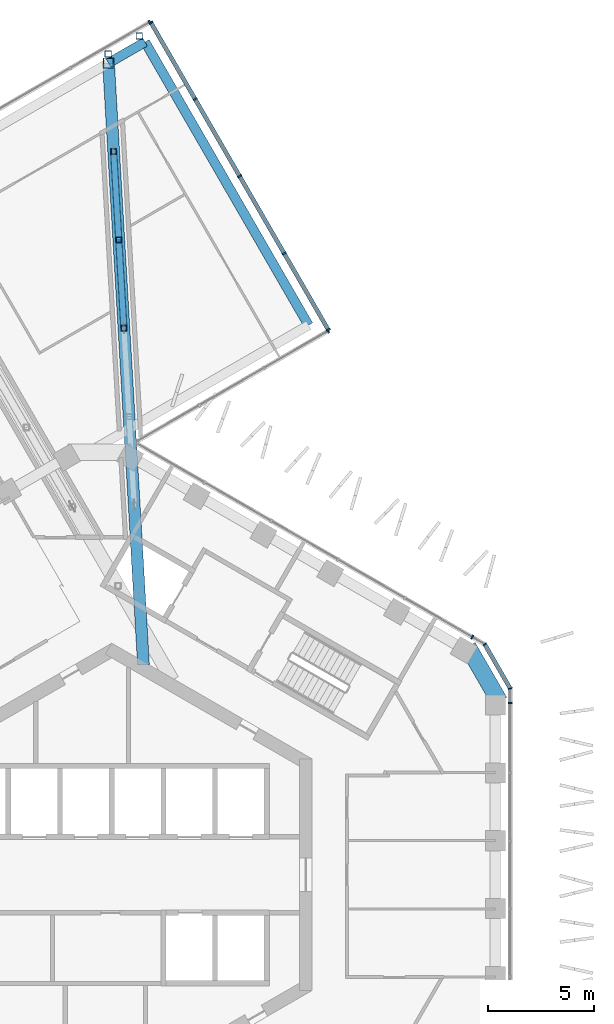
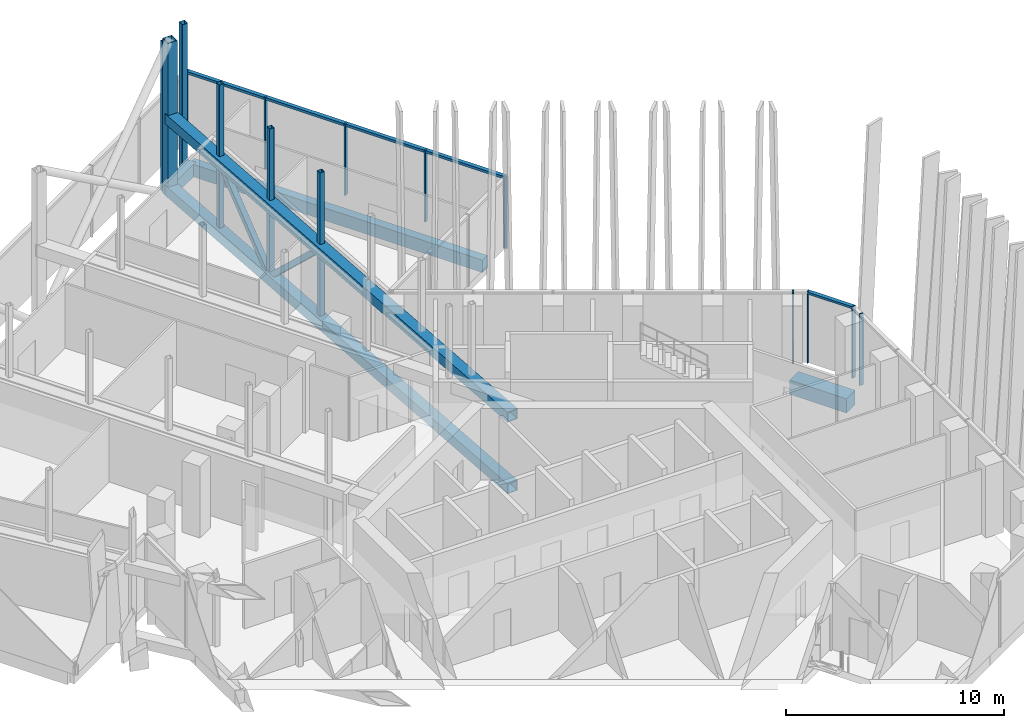
# One storey, part 9 of 29: 26 members, 3 beams, 6 elements without a shape of their own.
"""IFC4 building model written with IfcOpenShell, lengths in metres."""

from ifc_helpers import new_model, si_unit, direction, frame, origin, origin_2d, place, context, subcontext, project, spatial, rectangle, hollow_rectangle, extrude, material, layer, layer_set, material_profile, profile_set, type_object, element, aggregate, save


model = new_model("IFC4")

# Units and contexts
model_context = context("Model", 3, precision=1e-05, world=origin(), true_north=direction((0.0, 1.0)))
body_context = subcontext(model_context, "Body", "Model", "MODEL_VIEW")
ifc_project = project(units=[si_unit("LENGTHUNIT", "METRE"), si_unit("AREAUNIT", "SQUARE_METRE"), si_unit("VOLUMEUNIT", "CUBIC_METRE"), si_unit("PLANEANGLEUNIT", "RADIAN"), si_unit("MASSUNIT", "GRAM", prefix="KILO")], contexts=[model_context])

# Site, building, storey
site_placement = place(None, origin())
site = spatial("IfcSite", under=ifc_project, at=site_placement, CompositionType="ELEMENT")
building_placement = place(site_placement, origin())
building = spatial("IfcBuilding", under=site, at=building_placement, Name="Ayvan Gate Tower", CompositionType="ELEMENT")
storey_placement = place(building_placement, frame((0.0, 0.0, 186.699951171875)))
storey = spatial("IfcBuildingStorey", under=building, at=storey_placement, Name="L50", CompositionType="ELEMENT", Elevation=186.699951171875)

# Beam
ifc_material_1 = material(Name="Concrete C40/50", Category="concrete")
ifc_material_profile_1 = material_profile(ifc_material_1, rectangle(XDim=0.800048828125, YDim=0.800048828125, at=origin_2d()), Name="RC 800x800")
ifc_profile_set_1 = profile_set([ifc_material_profile_1], Name="Concrete C40/50")
beam_type_1 = type_object("IfcBeamType", Name="Corner spandrel beam RC 800x800 C40/50", PredefinedType="BEAM", material=ifc_profile_set_1)
beam_1_placement = place(storey_placement, frame((18.376953125, 8.208740234375, -0.800048828125), z_axis=(-0.499990139034, 0.866031096941, 0.0), x_axis=(-0.866031096941, -0.499990139034, 0.0)))
element("IfcBeam", 1, at=beam_1_placement, inside=storey, type_object=beam_type_1, Name="SB-L50-6", PredefinedType="BEAM", context=body_context, shape_type="SweptSolid", body=[
    extrude(rectangle(XDim=0.800048828125, YDim=0.800048828125, at=origin_2d()), origin(), (0.0, 0.0, 1.0), 3.0),
])

# Members
ifc_material_2 = material(Name="Steel S460NH", Category="steel")
ifc_material_profile_2 = material_profile(ifc_material_2, hollow_rectangle(XDim=0.300048828125, YDim=0.300048828125, WallThickness=0.01416015625, InnerFilletRadius=0.01416015625, OuterFilletRadius=0.021240234375, at=origin_2d()), Name="RHS 300x300x14.2")
ifc_profile_set_2 = profile_set([ifc_material_profile_2], Name="Steel S460NH")
member_type_1 = type_object("IfcMemberType", Name="Sky bar corner post B4 RHS 300x300x14.2", PredefinedType="POST", material=ifc_profile_set_2)
for number, where, z_axis, x_axis, name in (
    (2, (-0.1689453125, 38.892578125, -1.099853515625), (0.0, 0.0, 1.0), (1.0, 0.0, 0.0), "SBX4-C-P-3"),
    (3, (1.30322265625, 39.74267578125, -1.099853515625), (0.0, 0.0, 1.0), (1.0, 0.0, 0.0), "SBX4-C-P-4"),
):
    element("IfcMember", number, at=place(storey_placement, frame(where, z_axis=z_axis, x_axis=x_axis)), inside=storey, type_object=member_type_1, Name=name, PredefinedType="POST", context=body_context, shape_type="SweptSolid", body=[
        extrude(hollow_rectangle(XDim=0.300048828125, YDim=0.300048828125, WallThickness=0.01416015625, InnerFilletRadius=0.01416015625, OuterFilletRadius=0.021240234375, at=origin_2d()), origin(), (0.0, 0.0, 1.0), 8.349853515625),
    ])

# Beams
ifc_material_profile_3 = material_profile(ifc_material_1, rectangle(XDim=0.449951171875, YDim=0.699951171875, at=origin_2d()), Name="RC 450x700")
ifc_profile_set_3 = profile_set([ifc_material_profile_3], Name="Concrete C40/50")
beam_type_2 = type_object("IfcBeamType", Name="Sky bar edge beam RC 450x700 C40/50", PredefinedType="BEAM", material=ifc_profile_set_3)
beam_2_placement = place(storey_placement, frame((-0.152099609375, 38.463623046875, -0.75), z_axis=(0.866010750942, 0.50002537861, 0.0), x_axis=(-0.50002537861, 0.866010750942, 0.0)))
element("IfcBeam", 4, at=beam_2_placement, inside=storey, type_object=beam_type_2, Name="EB-B4-L50-7", PredefinedType="BEAM", context=body_context, shape_type="SweptSolid", body=[
    extrude(rectangle(XDim=0.449951171875, YDim=0.699951171875, at=origin_2d()), origin(), (0.0, 0.0, 1.0), 2.0),
])
beam_3_placement = place(storey_placement, frame((1.579833984375, 39.463623046875, -0.75), z_axis=(0.500001506187, -0.866024534185, 0.0), x_axis=(0.866024534185, 0.500001506187, 0.0)))
element("IfcBeam", 5, at=beam_3_placement, inside=storey, type_object=beam_type_2, Name="EB-B4-L50-8", PredefinedType="BEAM", context=body_context, shape_type="SweptSolid", body=[
    extrude(rectangle(XDim=0.449951171875, YDim=0.699951171875, at=origin_2d()), origin(), (0.0, 0.0, 1.0), 15.5),
])

# Members
ifc_material_profile_4 = material_profile(ifc_material_2, hollow_rectangle(XDim=0.300048828125, YDim=0.300048828125, WallThickness=0.010009765625, InnerFilletRadius=0.010009765625, OuterFilletRadius=0.014892578125, at=origin_2d()), Name="RHS 300x300x10")
ifc_profile_set_4 = profile_set([ifc_material_profile_4], Name="Steel S460NH")
member_type_2 = type_object("IfcMemberType", Name="Sky bar end truss brace B4 RHS 300x300x10", PredefinedType="BRACE", material=ifc_profile_set_4)
member_1_placement = place(storey_placement, frame((0.578125, 25.8984375, 3.275146484375), z_axis=(-0.041990290196, 0.722553077842, -0.690039031672), x_axis=(-0.998315659402, -0.058015896038, 0.0)))
element("IfcMember", 6, at=member_1_placement, inside=storey, type_object=member_type_2, Name="SBT4-1-D-5", PredefinedType="BRACE", context=body_context, shape_type="SweptSolid", body=[
    extrude(hollow_rectangle(XDim=0.300048828125, YDim=0.300048828125, WallThickness=0.010009765625, InnerFilletRadius=0.010009765625, OuterFilletRadius=0.014892578125, at=origin_2d()), origin(), (0.0, 0.0, 1.0), 5.796875),
])
member_2_placement = place(storey_placement, frame((0.334716796875, 30.0869140625, -0.724853515625), z_axis=(-0.041991568045, 0.722532948663, 0.690060030947), x_axis=(-0.998315463525, -0.058019266519, 0.0)))
element("IfcMember", 7, at=member_2_placement, inside=storey, type_object=member_type_2, Name="SBT4-1-D-6", PredefinedType="BRACE", context=body_context, shape_type="SweptSolid", body=[
    extrude(hollow_rectangle(XDim=0.300048828125, YDim=0.300048828125, WallThickness=0.010009765625, InnerFilletRadius=0.010009765625, OuterFilletRadius=0.014892578125, at=origin_2d()), origin(), (0.0, 0.0, 1.0), 5.796630859375),
])
ifc_material_3 = material(Name="Steel S460ML", Category="steel")
ifc_material_profile_5 = material_profile(ifc_material_3, hollow_rectangle(XDim=0.56005859375, YDim=0.56005859375, WallThickness=0.030029296875, at=origin_2d()), Name="BOX 560x560x30")
ifc_profile_set_5 = profile_set([ifc_material_profile_5], Name="Steel S460ML")
member_type_3 = type_object("IfcMemberType", Name="Sky bar end truss chord B4 BOX 560x560x30", PredefinedType="CHORD", material=ifc_profile_set_5)
for number, where, z_axis, x_axis, name in (
    (8, (1.504638671875, 9.956298828125, -0.724853515625), (-0.058018336692, 0.998315517563, 0.0), (-0.998315517563, -0.058018336692, 0.0), "SBT4-1-BC-1"),
    (9, (1.504638671875, 9.956298828125, 3.275146484375), (-0.058018336692, 0.998315517563, 0.0), (-0.998315517563, -0.058018336692, 0.0), "SBT4-1-TC-1"),
):
    element("IfcMember", number, at=place(storey_placement, frame(where, z_axis=z_axis, x_axis=x_axis)), inside=storey, type_object=member_type_3, Name=name, PredefinedType="CHORD", context=body_context, shape_type="SweptSolid", body=[
        extrude(hollow_rectangle(XDim=0.56005859375, YDim=0.56005859375, WallThickness=0.030029296875, at=origin_2d()), origin(), (0.0, 0.0, 1.0), 28.555419921875),
    ])
ifc_material_profile_6 = material_profile(ifc_material_2, hollow_rectangle(XDim=0.27001953125, YDim=0.27001953125, WallThickness=0.012451171875, InnerFilletRadius=0.012451171875, OuterFilletRadius=0.018798828125, at=origin_2d()), Name="RHS 270x270x12.5")
ifc_profile_set_6 = profile_set([ifc_material_profile_6], Name="Steel S460NH")
member_type_4 = type_object("IfcMemberType", Name="Sky bar end truss post B4 RHS 270x270x12.5", PredefinedType="POST", material=ifc_profile_set_6)
for number, where, z_axis, x_axis, name in (
    (10, (0.578125, 25.8984375, -0.39990234375), (0.0, 0.0, 1.0), (1.0, 0.0, 0.0), "SBT4-1-P-4"),
    (11, (0.334716796875, 30.0869140625, -0.39990234375), (0.0, 0.0, 1.0), (1.0, 0.0, 0.0), "SBT4-1-P-5"),
    (12, (0.09130859375, 34.275146484375, -0.39990234375), (0.0, 0.0, 1.0), (1.0, 0.0, 0.0), "SBT4-1-P-6"),
):
    element("IfcMember", number, at=place(storey_placement, frame(where, z_axis=z_axis, x_axis=x_axis)), inside=storey, type_object=member_type_4, Name=name, PredefinedType="POST", context=body_context, shape_type="SweptSolid", body=[
        extrude(hollow_rectangle(XDim=0.27001953125, YDim=0.27001953125, WallThickness=0.012451171875, InnerFilletRadius=0.012451171875, OuterFilletRadius=0.018798828125, at=origin_2d()), origin(), (0.0, 0.0, 1.0), 3.349853515625),
    ])
ifc_material_profile_7 = material_profile(ifc_material_3, hollow_rectangle(XDim=0.5, YDim=0.5, WallThickness=0.030029296875, at=origin_2d()), Name="BOX 500x500x30")
ifc_profile_set_7 = profile_set([ifc_material_profile_7], Name="Steel S460ML")
member_type_5 = type_object("IfcMemberType", Name="Sky bar end wall post BOX 500x500x30", PredefinedType="POST", material=ifc_profile_set_7)
member_3_placement = place(storey_placement, frame((-0.152099609375, 38.463623046875, -1.050048828125), z_axis=(0.0, 0.0, 1.0), x_axis=(1.0, 0.0, 0.0)))
element("IfcMember", 13, at=member_3_placement, inside=storey, type_object=member_type_5, Name="EXO-B4-P1", PredefinedType="POST", context=body_context, shape_type="SweptSolid", body=[
    extrude(hollow_rectangle(XDim=0.5, YDim=0.5, WallThickness=0.030029296875, at=origin_2d()), origin(), (0.0, 0.0, 1.0), 8.650146484375),
])
ifc_material_profile_8 = material_profile(ifc_material_2, hollow_rectangle(XDim=0.260009765625, YDim=0.260009765625, WallThickness=0.012451171875, InnerFilletRadius=0.012451171875, OuterFilletRadius=0.018798828125, at=origin_2d()), Name="RHS 260x260x12.5")
ifc_profile_set_8 = profile_set([ifc_material_profile_8], Name="Steel S460NH")
member_type_6 = type_object("IfcMemberType", Name="Sky bar upper post B4 RHS 260x260x12.5", PredefinedType="POST", material=ifc_profile_set_8)
for number, where, z_axis, x_axis, name in (
    (14, (0.578125, 25.8984375, 3.60009765625), (0.0, 0.0, 1.0), (1.0, 0.0, 0.0), "SBT4-1-U-4"),
    (15, (0.334716796875, 30.0869140625, 3.60009765625), (0.0, 0.0, 1.0), (1.0, 0.0, 0.0), "SBT4-1-U-5"),
    (16, (0.09130859375, 34.275146484375, 3.60009765625), (0.0, 0.0, 1.0), (1.0, 0.0, 0.0), "SBT4-1-U-6"),
):
    element("IfcMember", number, at=place(storey_placement, frame(where, z_axis=z_axis, x_axis=x_axis)), inside=storey, type_object=member_type_6, Name=name, PredefinedType="POST", context=body_context, shape_type="SweptSolid", body=[
        extrude(hollow_rectangle(XDim=0.260009765625, YDim=0.260009765625, WallThickness=0.012451171875, InnerFilletRadius=0.012451171875, OuterFilletRadius=0.018798828125, at=origin_2d()), origin(), (0.0, 0.0, 1.0), 4.0),
    ])

# Curtain wall, member
ifc_material_4 = material(Name="Bronze anodised aluminium", Category="aluminium")
ifc_layer_1 = layer(ifc_material_4, 0.199951171875)
ifc_layer_set_1 = layer_set([ifc_layer_1], Name="Bronze anodised aluminium")
curtain_wall_type_1 = type_object("IfcCurtainWallType", Name="Stick curtain wall CW-2", PredefinedType="NOTDEFINED", material=ifc_layer_set_1)
curtain_wall_1_placement = place(storey_placement, origin())
curtain_wall_1 = element("IfcCurtainWall", 17, at=curtain_wall_1_placement, inside=storey, type_object=curtain_wall_type_1, Name="Stick curtain wall CW-2 L50", PredefinedType="NOTDEFINED")
ifc_material_profile_9 = material_profile(ifc_material_4, rectangle(XDim=0.199951171875, YDim=0.070068359375, at=origin_2d()), Name="Stick curtain wall CW-2 mullion 200 x 70")
ifc_profile_set_9 = profile_set([ifc_material_profile_9], Name="Bronze anodised aluminium")
member_type_7 = type_object("IfcMemberType", Name="Stick curtain wall CW-2 mullion 200 x 70", PredefinedType="MULLION", material=ifc_profile_set_9)
member_4_placement = place(storey_placement, frame((18.886474609375, 8.139892578125, 0.0), z_axis=(0.0, 0.0, 1.0), x_axis=(1.0, 0.0, 0.0)))
member_4 = element("IfcMember", 18, at=member_4_placement, type_object=member_type_7, Name="CW-2 mullion 6", PredefinedType="MULLION", context=body_context, shape_type="SweptSolid", body=[
    extrude(rectangle(XDim=0.199951171875, YDim=0.070068359375, at=origin_2d()), origin(), (0.0, 0.0, 1.0), 4.0),
])
aggregate(curtain_wall_1, [member_4])

curtain_wall_2_placement = place(storey_placement, origin())
curtain_wall_2 = element("IfcCurtainWall", 19, at=curtain_wall_2_placement, inside=storey, type_object=curtain_wall_type_1, Name="Stick curtain wall CW-2 L50", PredefinedType="NOTDEFINED")
member_5_placement = place(storey_placement, frame((17.0859375, 11.25830078125, 0.0), z_axis=(0.0, 0.0, 1.0), x_axis=(0.5, 0.866025403784, 0.0)))
member_5 = element("IfcMember", 20, at=member_5_placement, type_object=member_type_7, Name="CW-2 mullion 1", PredefinedType="MULLION", context=body_context, shape_type="SweptSolid", body=[
    extrude(rectangle(XDim=0.199951171875, YDim=0.070068359375, at=origin_2d()), origin(), (0.0, 0.0, 1.0), 4.0),
])
aggregate(curtain_wall_2, [member_5])

ifc_layer_2 = layer(ifc_material_4, 0.199951171875)
ifc_layer_set_2 = layer_set([ifc_layer_2], Name="Bronze anodised aluminium")
curtain_wall_type_2 = type_object("IfcCurtainWallType", Name="Stick curtain wall CW-4", PredefinedType="NOTDEFINED", material=ifc_layer_set_2)
curtain_wall_3_placement = place(storey_placement, origin())
curtain_wall_3 = element("IfcCurtainWall", 21, at=curtain_wall_3_placement, inside=storey, type_object=curtain_wall_type_2, Name="Stick curtain wall CW-4 L50", PredefinedType="NOTDEFINED")
ifc_material_profile_10 = material_profile(ifc_material_4, rectangle(XDim=0.199951171875, YDim=0.080078125, at=origin_2d()), Name="Stick curtain wall CW-4 mullion 200 x 80")
ifc_profile_set_10 = profile_set([ifc_material_profile_10], Name="Bronze anodised aluminium")
member_type_8 = type_object("IfcMemberType", Name="Stick curtain wall CW-4 mullion 200 x 80", PredefinedType="MULLION", material=ifc_profile_set_10)
member_6_placement = place(storey_placement, frame((10.25146484375, 25.763916015625, 0.0), z_axis=(0.0, 0.0, 1.0), x_axis=(0.5, -0.866025403784, 0.0)))
member_6 = element("IfcMember", 22, at=member_6_placement, type_object=member_type_8, Name="CW-4 mullion 4", PredefinedType="MULLION", context=body_context, shape_type="SweptSolid", body=[
    extrude(rectangle(XDim=0.199951171875, YDim=0.080078125, at=origin_2d()), origin(), (0.0, 0.0, 1.0), 4.0),
])
aggregate(curtain_wall_3, [member_6])

# Curtain wall, members
curtain_wall_4_placement = place(storey_placement, origin())
curtain_wall_4 = element("IfcCurtainWall", 23, at=curtain_wall_4_placement, inside=storey, type_object=curtain_wall_type_2, Name="Stick curtain wall CW-4 L50", PredefinedType="NOTDEFINED")
member_7_placement = place(storey_placement, frame((10.26611328125, 25.818603515625, 0.0), z_axis=(0.0, 0.0, 1.0), x_axis=(0.866025403784, 0.5, 0.0)))
member_7 = element("IfcMember", 24, at=member_7_placement, type_object=member_type_8, Name="CW-4 mullion 1", PredefinedType="MULLION", context=body_context, shape_type="SweptSolid", body=[
    extrude(rectangle(XDim=0.199951171875, YDim=0.080078125, at=origin_2d()), origin(), (0.0, 0.0, 1.0), 4.0),
])
member_8_placement = place(storey_placement, frame((8.173583984375, 29.44287109375, 0.0), z_axis=(0.0, 0.0, 1.0), x_axis=(0.866025403784, 0.5, 0.0)))
member_8 = element("IfcMember", 25, at=member_8_placement, type_object=member_type_8, Name="CW-4 mullion 2", PredefinedType="MULLION", context=body_context, shape_type="SweptSolid", body=[
    extrude(rectangle(XDim=0.199951171875, YDim=0.080078125, at=origin_2d()), origin(), (0.0, 0.0, 1.0), 4.0),
])
member_9_placement = place(storey_placement, frame((6.06103515625, 33.101806640625, 0.0), z_axis=(0.0, 0.0, 1.0), x_axis=(0.866025403784, 0.5, 0.0)))
member_9 = element("IfcMember", 26, at=member_9_placement, type_object=member_type_8, Name="CW-4 mullion 3", PredefinedType="MULLION", context=body_context, shape_type="SweptSolid", body=[
    extrude(rectangle(XDim=0.199951171875, YDim=0.080078125, at=origin_2d()), origin(), (0.0, 0.0, 1.0), 4.0),
])
member_10_placement = place(storey_placement, frame((3.948486328125, 36.7607421875, 0.0), z_axis=(0.0, 0.0, 1.0), x_axis=(0.866025403784, 0.5, 0.0)))
member_10 = element("IfcMember", 27, at=member_10_placement, type_object=member_type_8, Name="CW-4 mullion 4", PredefinedType="MULLION", context=body_context, shape_type="SweptSolid", body=[
    extrude(rectangle(XDim=0.199951171875, YDim=0.080078125, at=origin_2d()), origin(), (0.0, 0.0, 1.0), 4.0),
])
member_11_placement = place(storey_placement, frame((1.856201171875, 40.38525390625, 0.0), z_axis=(0.0, 0.0, 1.0), x_axis=(0.866025403784, 0.5, 0.0)))
member_11 = element("IfcMember", 28, at=member_11_placement, type_object=member_type_8, Name="CW-4 mullion 5", PredefinedType="MULLION", context=body_context, shape_type="SweptSolid", body=[
    extrude(rectangle(XDim=0.199951171875, YDim=0.080078125, at=origin_2d()), origin(), (0.0, 0.0, 1.0), 4.0),
])

# Curtain wall, member
curtain_wall_5_placement = place(storey_placement, origin())
curtain_wall_5 = element("IfcCurtainWall", 29, at=curtain_wall_5_placement, inside=storey, type_object=curtain_wall_type_2, Name="Stick curtain wall CW-4 L50", PredefinedType="NOTDEFINED")
member_12_placement = place(storey_placement, frame((1.801513671875, 40.39990234375, 0.0), z_axis=(0.0, 0.0, 1.0), x_axis=(-0.5, 0.866025403784, 0.0)))
member_12 = element("IfcMember", 30, at=member_12_placement, type_object=member_type_8, Name="CW-4 mullion 1", PredefinedType="MULLION", context=body_context, shape_type="SweptSolid", body=[
    extrude(rectangle(XDim=0.199951171875, YDim=0.080078125, at=origin_2d()), origin(), (0.0, 0.0, 1.0), 4.0),
])
aggregate(curtain_wall_5, [member_12])

# Member
ifc_material_profile_11 = material_profile(ifc_material_4, rectangle(XDim=0.199951171875, YDim=0.139892578125, at=origin_2d()), Name="Stick curtain wall CW-4 transom 200 x 140")
ifc_profile_set_11 = profile_set([ifc_material_profile_11], Name="Bronze anodised aluminium")
member_type_9 = type_object("IfcMemberType", Name="Stick curtain wall CW-4 transom 200 x 140", PredefinedType="USERDEFINED", material=ifc_profile_set_11)
member_13_placement = place(storey_placement, frame((10.26611328125, 25.818603515625, 3.929931640625), z_axis=(-0.499993426809, 0.866029198785, 0.0), x_axis=(-0.866029198785, -0.499993426809, 0.0)))
member_13 = element("IfcMember", 31, at=member_13_placement, type_object=member_type_9, Name="CW-4 transom 1", ObjectType="TRANSOM", PredefinedType="USERDEFINED", context=body_context, shape_type="SweptSolid", body=[
    extrude(rectangle(XDim=0.199951171875, YDim=0.139892578125, at=origin_2d()), origin(), (0.0, 0.0, 1.0), 16.820068359375),
])

aggregate(curtain_wall_4, [member_7, member_8, member_9, member_10, member_11, member_13])

# Curtain wall, members
ifc_layer_3 = layer(ifc_material_4, 0.199951171875)
ifc_layer_set_3 = layer_set([ifc_layer_3], Name="Bronze anodised aluminium")
curtain_wall_type_3 = type_object("IfcCurtainWallType", Name="Stick curtain wall CW-6", PredefinedType="NOTDEFINED", material=ifc_layer_set_3)
curtain_wall_6_placement = place(storey_placement, origin())
curtain_wall_6 = element("IfcCurtainWall", 32, at=curtain_wall_6_placement, inside=storey, type_object=curtain_wall_type_3, Name="Stick curtain wall CW-6 L50", PredefinedType="NOTDEFINED")
ifc_material_profile_12 = material_profile(ifc_material_4, rectangle(XDim=0.199951171875, YDim=0.050048828125, at=origin_2d()), Name="Stick curtain wall CW-6 mullion 200 x 50")
ifc_profile_set_12 = profile_set([ifc_material_profile_12], Name="Bronze anodised aluminium")
member_type_10 = type_object("IfcMemberType", Name="Stick curtain wall CW-6 mullion 200 x 50", PredefinedType="MULLION", material=ifc_profile_set_12)
member_14_placement = place(storey_placement, frame((18.886474609375, 8.82470703125, 0.0), z_axis=(0.0, 0.0, 1.0), x_axis=(0.965925826289, 0.258819045103, 0.0)))
member_14 = element("IfcMember", 33, at=member_14_placement, type_object=member_type_10, Name="CW-6 mullion 2", PredefinedType="MULLION", context=body_context, shape_type="SweptSolid", body=[
    extrude(rectangle(XDim=0.199951171875, YDim=0.050048828125, at=origin_2d()), origin(), (0.0, 0.0, 1.0), 4.0),
])
member_15_placement = place(storey_placement, frame((17.67919921875, 10.915771484375, 0.0), z_axis=(0.0, 0.0, 1.0), x_axis=(0.707106781187, 0.707106781187, 0.0)))
member_15 = element("IfcMember", 34, at=member_15_placement, type_object=member_type_10, Name="CW-6 mullion 3", PredefinedType="MULLION", context=body_context, shape_type="SweptSolid", body=[
    extrude(rectangle(XDim=0.199951171875, YDim=0.050048828125, at=origin_2d()), origin(), (0.0, 0.0, 1.0), 4.0),
])
ifc_material_profile_13 = material_profile(ifc_material_4, rectangle(XDim=0.199951171875, YDim=0.1201171875, at=origin_2d()), Name="Stick curtain wall CW-6 transom 200 x 120")
ifc_profile_set_13 = profile_set([ifc_material_profile_13], Name="Bronze anodised aluminium")
member_type_11 = type_object("IfcMemberType", Name="Stick curtain wall CW-6 transom 200 x 120", PredefinedType="USERDEFINED", material=ifc_profile_set_13)
member_16_placement = place(storey_placement, frame((18.8740234375, 8.846435546875, 3.93994140625), z_axis=(-0.500014398087, 0.866017090885, 0.0), x_axis=(-0.866017090885, -0.500014398087, 0.0)))
member_16 = element("IfcMember", 35, at=member_16_placement, type_object=member_type_11, Name="CW-6 transom 2", ObjectType="TRANSOM", PredefinedType="USERDEFINED", context=body_context, shape_type="SweptSolid", body=[
    extrude(rectangle(XDim=0.199951171875, YDim=0.1201171875, at=origin_2d()), origin(), (0.0, 0.0, 1.0), 2.36474609375),
])
aggregate(curtain_wall_6, [member_14, member_15, member_16])

save(model, "model.ifc")
